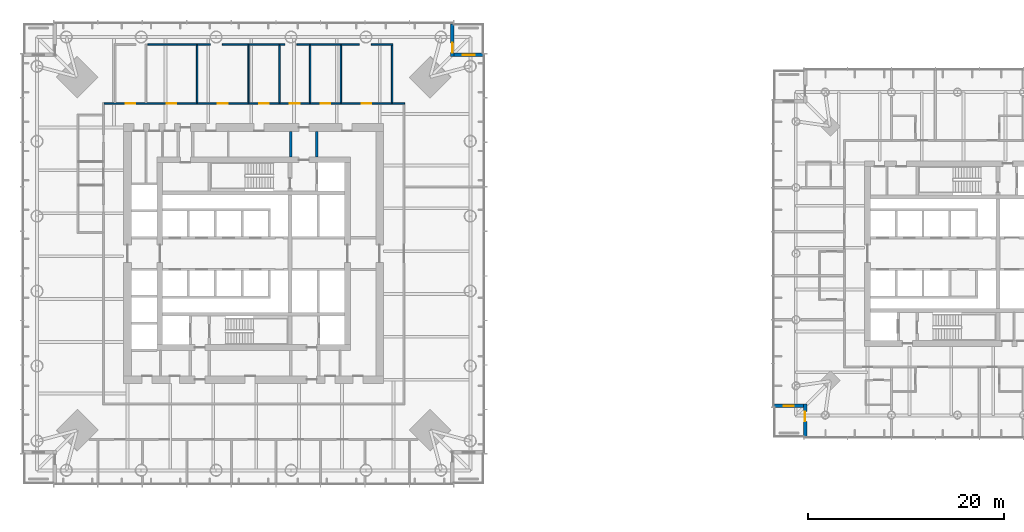
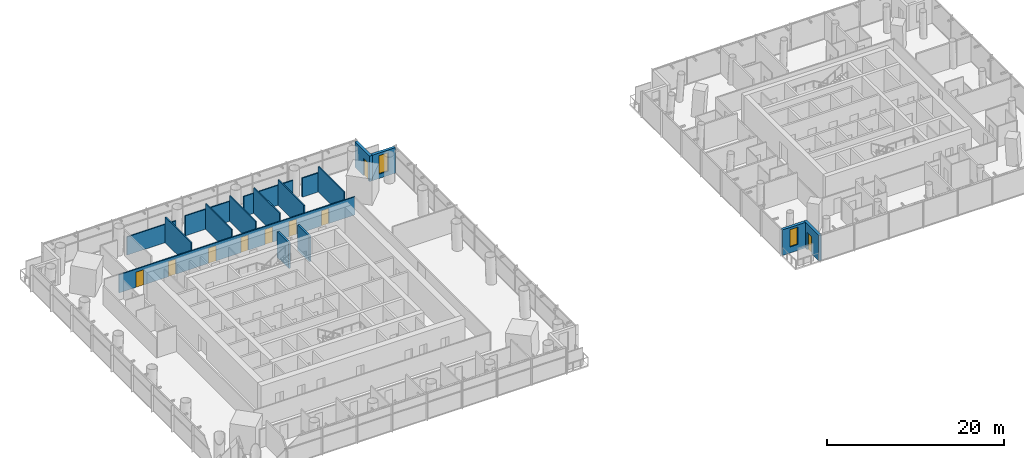
# One storey, part 15 of 24: 17 walls, 9 doors, 2 windows, 11 openings.
"""IFC4 building model written with IfcOpenShell, lengths in metres."""

from ifc_helpers import new_model, si_unit, direction, frame, frame_2d, origin, place, context, subcontext, project, spatial, rectangle, extrude, material, layer, layer_set, type_object, element, fill, save


model = new_model("IFC4")

# Units and contexts
model_context = context("Model", 3, precision=1e-05, world=origin(), true_north=direction((0.0, 1.0)))
body_context = subcontext(model_context, "Body", "Model", "MODEL_VIEW")
ifc_project = project(units=[si_unit("LENGTHUNIT", "METRE"), si_unit("AREAUNIT", "SQUARE_METRE"), si_unit("VOLUMEUNIT", "CUBIC_METRE"), si_unit("PLANEANGLEUNIT", "RADIAN"), si_unit("MASSUNIT", "GRAM", prefix="KILO")], contexts=[model_context])

# Site, building, storey
site_placement = place(None, origin())
site = spatial("IfcSite", under=ifc_project, at=site_placement, CompositionType="ELEMENT")
building_placement = place(site_placement, origin())
building = spatial("IfcBuilding", under=site, at=building_placement, Name="Ostroluk Exchange", CompositionType="ELEMENT")
storey_placement = place(building_placement, frame((0.0, 0.0, 78.0)))
storey = spatial("IfcBuildingStorey", under=building, at=storey_placement, Name="L19", CompositionType="ELEMENT", Elevation=78.0)

# Walls
ifc_material_1 = material(Name="Concrete blockwork", Category="masonry")
ifc_layer_1 = layer(ifc_material_1, 0.25)
ifc_layer_set_1 = layer_set([ifc_layer_1], Name="Blockwork stair enclosure wall 250")
wall_type_1 = type_object("IfcWallType", Name="Blockwork stair enclosure wall 250", PredefinedType="SOLIDWALL", material=ifc_layer_set_1)
for number, where, z_axis, x_axis, name in (
    (1, (48.804931640625, 55.89990234375, 0.0), (0.0, 0.0, 1.0), (0.0, 1.0, 0.0), "Fire lobby enclosure wall"),
    (2, (51.47509765625, 55.89990234375, 0.0), (0.0, 0.0, 1.0), (0.0, 1.0, 0.0), "Fire lobby enclosure wall"),
):
    element("IfcWall", number, at=place(storey_placement, frame(where, z_axis=z_axis, x_axis=x_axis)), inside=storey, type_object=wall_type_1, Name=name, PredefinedType="SOLIDWALL", context=body_context, shape_type="SweptSolid", body=[
        extrude(rectangle(XDim=2.60009765625, YDim=0.25, at=frame_2d((1.300048828125, 0.0))), origin(), (0.0, 0.0, 1.0), 3.52001953125),
    ])

# Wall, opening, door
ifc_material_2 = material(Name="Limestone", Category="masonry")
ifc_layer_2 = layer(ifc_material_2, 0.35009765625)
ifc_layer_set_2 = layer_set([ifc_layer_2], Name="Limestone facade wall 350")
wall_type_2 = type_object("IfcWallType", Name="Limestone facade wall 350", PredefinedType="SOLIDWALL", material=ifc_layer_set_2)
wall_1_placement = place(storey_placement, frame((65.324951171875, 69.5, 0.0), z_axis=(0.0, 0.0, 1.0), x_axis=(0.0, -1.0, 0.0)))
wall_1 = element("IfcWall", 3, at=wall_1_placement, inside=storey, type_object=wall_type_2, Name="Office tower NE corner wall L19 a", PredefinedType="SOLIDWALL", context=body_context, shape_type="SweptSolid", body=[
    extrude(rectangle(XDim=3.35009765625, YDim=0.35009765625, at=frame_2d((1.675048828125, 0.0))), origin(), (0.0, 0.0, 1.0), 3.52001953125),
])
opening_1_placement = place(wall_1_placement, frame((1.949951171875, 0.0, 0.0)))
opening_1 = element("IfcOpeningElement", 4, at=opening_1_placement, cuts=wall_1, Name="Opening D-B1", PredefinedType="OPENING", context=body_context, shape_type="SweptSolid", body=[
    extrude(rectangle(XDim=1.0, YDim=2.39990234375, at=frame_2d((0.5, 1.199951171875))), frame((0.0, 0.18505859375, 0.0), z_axis=(0.0, -1.0, 0.0), x_axis=(1.0, 0.0, 0.0)), (0.0, 0.0, 1.0), 0.3701171875),
])
ifc_material_3 = material(Name="Bronze framed glazed door", Category="aluminium")
door_type_1 = type_object("IfcDoorType", Name="Balcony door 1000 x 2400", OperationType="SINGLE_SWING_LEFT", PredefinedType="DOOR", material=ifc_material_3)
door_1_placement = place(opening_1_placement, origin())
door_1 = element("IfcDoor", 5, at=door_1_placement, inside=storey, type_object=door_type_1, Name="Office tower NE balcony door L19", OperationType="SINGLE_SWING_RIGHT", OverallHeight=2.39990234375, OverallWidth=1.0, PredefinedType="DOOR", context=body_context, shape_type="SweptSolid", body=[
    extrude(rectangle(XDim=1.0, YDim=2.39990234375, at=frame_2d((0.5, 1.199951171875))), frame((0.0, 0.02490234375, 0.0), z_axis=(0.0, -1.0, 0.0), x_axis=(1.0, 0.0, 0.0)), (0.0, 0.0, 1.0), 0.050048828125),
])
fill(opening_1, door_1)

# Wall, opening, window
wall_2_placement = place(storey_placement, frame((65.5, 66.324951171875, 0.0), z_axis=(0.0, 0.0, 1.0), x_axis=(1.0, 0.0, 0.0)))
wall_2 = element("IfcWall", 6, at=wall_2_placement, inside=storey, type_object=wall_type_2, Name="Office tower NE corner wall L19 b", PredefinedType="SOLIDWALL", context=body_context, shape_type="SweptSolid", body=[
    extrude(rectangle(XDim=3.0, YDim=0.35009765625, at=frame_2d((1.5, 0.0))), origin(), (0.0, 0.0, 1.0), 3.52001953125),
])
opening_2_placement = place(wall_2_placement, frame((0.89990234375, 0.0, 0.60009765625)))
opening_2 = element("IfcOpeningElement", 7, at=opening_2_placement, cuts=wall_2, Name="Opening WN-L1", PredefinedType="OPENING", context=body_context, shape_type="SweptSolid", body=[
    extrude(rectangle(XDim=1.199951171875, YDim=2.550048828125, at=frame_2d((0.60009765625, 1.27490234375))), frame((0.0, 0.18505859375, 0.0), z_axis=(0.0, -1.0, 0.0), x_axis=(1.0, 0.0, 0.0)), (0.0, 0.0, 1.0), 0.3701171875),
])
ifc_material_4 = material(Name="Laminated clear glass", Category="glass")
window_type_1 = type_object("IfcWindowType", Name="Lancet window 1200 x 2550", PartitioningType="SINGLE_PANEL", PredefinedType="WINDOW", material=ifc_material_4)
window_1_placement = place(opening_2_placement, origin())
window_1 = element("IfcWindow", 8, at=window_1_placement, inside=storey, type_object=window_type_1, Name="Office tower NE lancet window L19", OverallHeight=2.550048828125, OverallWidth=1.199951171875, PartitioningType="SINGLE_PANEL", PredefinedType="WINDOW", context=body_context, shape_type="SweptSolid", body=[
    extrude(rectangle(XDim=1.199951171875, YDim=2.550048828125, at=frame_2d((0.60009765625, 1.27490234375))), frame((0.0, 0.030029296875, 0.0), z_axis=(0.0, -1.0, 0.0), x_axis=(1.0, 0.0, 0.0)), (0.0, 0.0, 1.0), 0.06005859375),
])
fill(opening_2, window_1)

# Wall, opening, door
wall_3_placement = place(storey_placement, frame((101.425048828125, 27.25, 0.0), z_axis=(0.0, 0.0, 1.0), x_axis=(0.0, 1.0, 0.0)))
wall_3 = element("IfcWall", 9, at=wall_3_placement, inside=storey, type_object=wall_type_2, Name="Hotel tower SW corner wall L19 a", PredefinedType="SOLIDWALL", context=body_context, shape_type="SweptSolid", body=[
    extrude(rectangle(XDim=3.35009765625, YDim=0.35009765625, at=frame_2d((1.675048828125, 0.0))), origin(), (0.0, 0.0, 1.0), 3.52001953125),
])
opening_3_placement = place(wall_3_placement, frame((1.60009765625, 0.0, 0.0)))
opening_3 = element("IfcOpeningElement", 10, at=opening_3_placement, cuts=wall_3, Name="Opening D-B1", PredefinedType="OPENING", context=body_context, shape_type="SweptSolid", body=[
    extrude(rectangle(XDim=1.0, YDim=2.39990234375, at=frame_2d((0.5, 1.199951171875))), frame((0.0, 0.18505859375, 0.0), z_axis=(0.0, -1.0, 0.0), x_axis=(1.0, 0.0, 0.0)), (0.0, 0.0, 1.0), 0.3701171875),
])
door_2_placement = place(opening_3_placement, origin())
door_2 = element("IfcDoor", 11, at=door_2_placement, inside=storey, type_object=door_type_1, Name="Hotel tower SW balcony door L19", OperationType="SINGLE_SWING_RIGHT", OverallHeight=2.39990234375, OverallWidth=1.0, PredefinedType="DOOR", context=body_context, shape_type="SweptSolid", body=[
    extrude(rectangle(XDim=1.0, YDim=2.39990234375, at=frame_2d((0.5, 1.199951171875))), frame((0.0, 0.02490234375, 0.0), z_axis=(0.0, -1.0, 0.0), x_axis=(1.0, 0.0, 0.0)), (0.0, 0.0, 1.0), 0.050048828125),
])
fill(opening_3, door_2)

# Wall, opening, window
wall_4_placement = place(storey_placement, frame((101.25, 30.425048828125, 0.0), z_axis=(0.0, 0.0, 1.0), x_axis=(-1.0, 0.0, 0.0)))
wall_4 = element("IfcWall", 12, at=wall_4_placement, inside=storey, type_object=wall_type_2, Name="Hotel tower SW corner wall L19 b", PredefinedType="SOLIDWALL", context=body_context, shape_type="SweptSolid", body=[
    extrude(rectangle(XDim=3.0, YDim=0.35009765625, at=frame_2d((1.5, 0.0))), origin(), (0.0, 0.0, 1.0), 3.52001953125),
])
opening_4_placement = place(wall_4_placement, frame((1.0, 0.0, 0.820068359375)))
opening_4 = element("IfcOpeningElement", 13, at=opening_4_placement, cuts=wall_4, Name="Opening WN-L3", PredefinedType="OPENING", context=body_context, shape_type="SweptSolid", body=[
    extrude(rectangle(XDim=1.0, YDim=2.39990234375, at=frame_2d((0.5, 1.199951171875))), frame((0.0, 0.18505859375, 0.0), z_axis=(0.0, -1.0, 0.0), x_axis=(1.0, 0.0, 0.0)), (0.0, 0.0, 1.0), 0.3701171875),
])
ifc_material_5 = material(Name="Laminated clear glass", Category="glass")
window_type_2 = type_object("IfcWindowType", Name="Hotel lancet window 1000 x 2400", PartitioningType="SINGLE_PANEL", PredefinedType="WINDOW", material=ifc_material_5)
window_2_placement = place(opening_4_placement, origin())
window_2 = element("IfcWindow", 14, at=window_2_placement, inside=storey, type_object=window_type_2, Name="Hotel tower SW lancet window L19", OverallHeight=2.39990234375, OverallWidth=1.0, PartitioningType="SINGLE_PANEL", PredefinedType="WINDOW", context=body_context, shape_type="SweptSolid", body=[
    extrude(rectangle(XDim=1.0, YDim=2.39990234375, at=frame_2d((0.5, 1.199951171875))), frame((0.0, 0.030029296875, 0.0), z_axis=(0.0, -1.0, 0.0), x_axis=(1.0, 0.0, 0.0)), (0.0, 0.0, 1.0), 0.06005859375),
])
fill(opening_4, window_2)

# Walls
ifc_material_6 = material(Name="Gypsum plasterboard partition", Category="gypsum")
ifc_layer_3 = layer(ifc_material_6, 0.14990234375)
ifc_layer_set_3 = layer_set([ifc_layer_3], Name="Plasterboard partition 150")
wall_type_3 = type_object("IfcWallType", Name="Plasterboard partition 150", PredefinedType="PARTITIONING", material=ifc_layer_set_3)
for number, where, z_axis, x_axis, name in (
    (15, (59.175048828125, 61.449951171875, 0.0), (0.0, 0.0, 1.0), (0.0, 1.0, 0.0), "Partition"),
    (16, (53.925048828125, 61.449951171875, 0.0), (0.0, 0.0, 1.0), (0.0, 1.0, 0.0), "Partition"),
    (17, (50.77490234375, 61.449951171875, 0.0), (0.0, 0.0, 1.0), (0.0, 1.0, 0.0), "Partition"),
    (18, (47.625, 61.449951171875, 0.0), (0.0, 0.0, 1.0), (0.0, 1.0, 0.0), "Partition"),
    (19, (44.47509765625, 61.449951171875, 0.0), (0.0, 0.0, 1.0), (0.0, 1.0, 0.0), "Partition"),
    (20, (39.22509765625, 61.449951171875, 0.0), (0.0, 0.0, 1.0), (0.0, 1.0, 0.0), "Partition"),
):
    element("IfcWall", number, at=place(storey_placement, frame(where, z_axis=z_axis, x_axis=x_axis)), inside=storey, type_object=wall_type_3, Name=name, PredefinedType="PARTITIONING", context=body_context, shape_type="SweptSolid", body=[
        extrude(rectangle(XDim=5.85009765625, YDim=0.14990234375, at=frame_2d((2.925048828125, 0.0))), origin(), (0.0, 0.0, 1.0), 3.52001953125),
    ])
wall_5_placement = place(storey_placement, frame((59.25, 67.375, 0.0), z_axis=(0.0, 0.0, 1.0), x_axis=(-1.0, 0.0, 0.0)))
element("IfcWall", 21, at=wall_5_placement, inside=storey, type_object=wall_type_3, Name="Partition", PredefinedType="PARTITIONING", context=body_context, shape_type="SweptSolid", body=[
    extrude(rectangle(XDim=2.204833984375, YDim=0.14990234375, at=frame_2d((1.1025390625, 0.0))), origin(), (0.0, 0.0, 1.0), 2.6201171875),
])
wall_6_placement = place(storey_placement, frame((55.82470703125, 67.375, 0.0), z_axis=(0.0, 0.0, 1.0), x_axis=(-1.0, 0.0, 0.0)))
element("IfcWall", 22, at=wall_6_placement, inside=storey, type_object=wall_type_3, Name="Partition", PredefinedType="PARTITIONING", context=body_context, shape_type="SweptSolid", body=[
    extrude(rectangle(XDim=6.4033203125, YDim=0.14990234375, at=frame_2d((3.20166015625, 0.0))), origin(), (0.0, 0.0, 1.0), 2.75),
])
wall_7_placement = place(storey_placement, frame((48.201904296875, 67.375, 0.0), z_axis=(0.0, 0.0, 1.0), x_axis=(-1.0, 0.0, 0.0)))
element("IfcWall", 23, at=wall_7_placement, inside=storey, type_object=wall_type_3, Name="Partition", PredefinedType="PARTITIONING", context=body_context, shape_type="SweptSolid", body=[
    extrude(rectangle(XDim=6.40380859375, YDim=0.14990234375, at=frame_2d((3.201904296875, 0.0))), origin(), (0.0, 0.0, 1.0), 2.75),
])
wall_8_placement = place(storey_placement, frame((40.57861328125, 67.375, 0.0), z_axis=(0.0, 0.0, 1.0), x_axis=(-1.0, 0.0, 0.0)))
element("IfcWall", 24, at=wall_8_placement, inside=storey, type_object=wall_type_3, Name="Partition", PredefinedType="PARTITIONING", context=body_context, shape_type="SweptSolid", body=[
    extrude(rectangle(XDim=6.4033203125, YDim=0.14990234375, at=frame_2d((3.20166015625, 0.0))), origin(), (0.0, 0.0, 1.0), 2.511962890625),
])

# Wall, openings, doors
wall_9_placement = place(storey_placement, frame((60.449951171875, 61.375, 0.0), z_axis=(0.0, 0.0, 1.0), x_axis=(-1.0, 0.0, 0.0)))
wall_9 = element("IfcWall", 25, at=wall_9_placement, inside=storey, type_object=wall_type_3, Name="Corridor wall", PredefinedType="PARTITIONING", context=body_context, shape_type="SweptSolid", body=[
    extrude(rectangle(XDim=30.75, YDim=0.14990234375, at=frame_2d((15.375, 0.0))), origin(), (0.0, 0.0, 1.0), 2.511962890625),
])
opening_5_placement = place(wall_9_placement, frame((3.39990234375, 0.0, 0.0)))
opening_5 = element("IfcOpeningElement", 26, at=opening_5_placement, cuts=wall_9, Name="Opening D-03", PredefinedType="OPENING", context=body_context, shape_type="SweptSolid", body=[
    extrude(rectangle(XDim=1.0, YDim=2.10009765625, at=frame_2d((0.5, 1.050048828125))), frame((0.0, 0.0849609375, 0.0), z_axis=(0.0, -1.0, 0.0), x_axis=(1.0, 0.0, 0.0)), (0.0, 0.0, 1.0), 0.169921875),
])
opening_6_placement = place(wall_9_placement, frame((7.60009765625, 0.0, 0.0)))
opening_6 = element("IfcOpeningElement", 27, at=opening_6_placement, cuts=wall_9, Name="Opening D-03", PredefinedType="OPENING", context=body_context, shape_type="SweptSolid", body=[
    extrude(rectangle(XDim=1.0, YDim=2.10009765625, at=frame_2d((0.5, 1.050048828125))), frame((0.0, 0.0849609375, 0.0), z_axis=(0.0, -1.0, 0.0), x_axis=(1.0, 0.0, 0.0)), (0.0, 0.0, 1.0), 0.169921875),
])
opening_7_placement = place(wall_9_placement, frame((10.75, 0.0, 0.0)))
opening_7 = element("IfcOpeningElement", 28, at=opening_7_placement, cuts=wall_9, Name="Opening D-03", PredefinedType="OPENING", context=body_context, shape_type="SweptSolid", body=[
    extrude(rectangle(XDim=1.0, YDim=2.10009765625, at=frame_2d((0.5, 1.050048828125))), frame((0.0, 0.0849609375, 0.0), z_axis=(0.0, -1.0, 0.0), x_axis=(1.0, 0.0, 0.0)), (0.0, 0.0, 1.0), 0.169921875),
])
opening_8_placement = place(wall_9_placement, frame((13.89990234375, 0.0, 0.0)))
opening_8 = element("IfcOpeningElement", 29, at=opening_8_placement, cuts=wall_9, Name="Opening D-03", PredefinedType="OPENING", context=body_context, shape_type="SweptSolid", body=[
    extrude(rectangle(XDim=1.0, YDim=2.10009765625, at=frame_2d((0.5, 1.050048828125))), frame((0.0, 0.0849609375, 0.0), z_axis=(0.0, -1.0, 0.0), x_axis=(1.0, 0.0, 0.0)), (0.0, 0.0, 1.0), 0.169921875),
])
opening_9_placement = place(wall_9_placement, frame((18.10009765625, 0.0, 0.0)))
opening_9 = element("IfcOpeningElement", 30, at=opening_9_placement, cuts=wall_9, Name="Opening D-03", PredefinedType="OPENING", context=body_context, shape_type="SweptSolid", body=[
    extrude(rectangle(XDim=1.0, YDim=2.10009765625, at=frame_2d((0.5, 1.050048828125))), frame((0.0, 0.0849609375, 0.0), z_axis=(0.0, -1.0, 0.0), x_axis=(1.0, 0.0, 0.0)), (0.0, 0.0, 1.0), 0.169921875),
])
opening_10_placement = place(wall_9_placement, frame((23.35009765625, 0.0, 0.0)))
opening_10 = element("IfcOpeningElement", 31, at=opening_10_placement, cuts=wall_9, Name="Opening D-03", PredefinedType="OPENING", context=body_context, shape_type="SweptSolid", body=[
    extrude(rectangle(XDim=1.0, YDim=2.10009765625, at=frame_2d((0.5, 1.050048828125))), frame((0.0, 0.0849609375, 0.0), z_axis=(0.0, -1.0, 0.0), x_axis=(1.0, 0.0, 0.0)), (0.0, 0.0, 1.0), 0.169921875),
])
opening_11_placement = place(wall_9_placement, frame((27.550048828125, 0.0, 0.0)))
opening_11 = element("IfcOpeningElement", 32, at=opening_11_placement, cuts=wall_9, Name="Opening D-03", PredefinedType="OPENING", context=body_context, shape_type="SweptSolid", body=[
    extrude(rectangle(XDim=1.0, YDim=2.10009765625, at=frame_2d((0.5, 1.050048828125))), frame((0.0, 0.0849609375, 0.0), z_axis=(0.0, -1.0, 0.0), x_axis=(1.0, 0.0, 0.0)), (0.0, 0.0, 1.0), 0.169921875),
])
ifc_material_7 = material(Name="Timber", Category="wood")
door_type_2 = type_object("IfcDoorType", Name="Internal door 1000 x 2100", OperationType="SINGLE_SWING_LEFT", PredefinedType="DOOR", material=ifc_material_7)
door_3_placement = place(opening_5_placement, origin())
door_3 = element("IfcDoor", 33, at=door_3_placement, inside=storey, type_object=door_type_2, Name="Meeting room door", OperationType="SINGLE_SWING_LEFT", OverallHeight=2.10009765625, OverallWidth=1.0, PredefinedType="DOOR", context=body_context, shape_type="SweptSolid", body=[
    extrude(rectangle(XDim=1.0, YDim=2.10009765625, at=frame_2d((0.5, 1.050048828125))), frame((0.0, 0.02490234375, 0.0), z_axis=(0.0, -1.0, 0.0), x_axis=(1.0, 0.0, 0.0)), (0.0, 0.0, 1.0), 0.050048828125),
])
fill(opening_5, door_3)
door_4_placement = place(opening_6_placement, origin())
door_4 = element("IfcDoor", 34, at=door_4_placement, inside=storey, type_object=door_type_2, Name="Focus room door", OperationType="SINGLE_SWING_LEFT", OverallHeight=2.10009765625, OverallWidth=1.0, PredefinedType="DOOR", context=body_context, shape_type="SweptSolid", body=[
    extrude(rectangle(XDim=1.0, YDim=2.10009765625, at=frame_2d((0.5, 1.050048828125))), frame((0.0, 0.02490234375, 0.0), z_axis=(0.0, -1.0, 0.0), x_axis=(1.0, 0.0, 0.0)), (0.0, 0.0, 1.0), 0.050048828125),
])
fill(opening_6, door_4)
door_5_placement = place(opening_7_placement, origin())
door_5 = element("IfcDoor", 35, at=door_5_placement, inside=storey, type_object=door_type_2, Name="Phone room door", OperationType="SINGLE_SWING_LEFT", OverallHeight=2.10009765625, OverallWidth=1.0, PredefinedType="DOOR", context=body_context, shape_type="SweptSolid", body=[
    extrude(rectangle(XDim=1.0, YDim=2.10009765625, at=frame_2d((0.5, 1.050048828125))), frame((0.0, 0.02490234375, 0.0), z_axis=(0.0, -1.0, 0.0), x_axis=(1.0, 0.0, 0.0)), (0.0, 0.0, 1.0), 0.050048828125),
])
fill(opening_7, door_5)
door_6_placement = place(opening_8_placement, origin())
door_6 = element("IfcDoor", 36, at=door_6_placement, inside=storey, type_object=door_type_2, Name="Focus room door", OperationType="SINGLE_SWING_LEFT", OverallHeight=2.10009765625, OverallWidth=1.0, PredefinedType="DOOR", context=body_context, shape_type="SweptSolid", body=[
    extrude(rectangle(XDim=1.0, YDim=2.10009765625, at=frame_2d((0.5, 1.050048828125))), frame((0.0, 0.02490234375, 0.0), z_axis=(0.0, -1.0, 0.0), x_axis=(1.0, 0.0, 0.0)), (0.0, 0.0, 1.0), 0.050048828125),
])
fill(opening_8, door_6)
door_7_placement = place(opening_9_placement, origin())
door_7 = element("IfcDoor", 37, at=door_7_placement, inside=storey, type_object=door_type_2, Name="Meeting room door", OperationType="SINGLE_SWING_RIGHT", OverallHeight=2.10009765625, OverallWidth=1.0, PredefinedType="DOOR", context=body_context, shape_type="SweptSolid", body=[
    extrude(rectangle(XDim=1.0, YDim=2.10009765625, at=frame_2d((0.5, 1.050048828125))), frame((0.0, 0.02490234375, 0.0), z_axis=(0.0, -1.0, 0.0), x_axis=(1.0, 0.0, 0.0)), (0.0, 0.0, 1.0), 0.050048828125),
])
fill(opening_9, door_7)
door_8_placement = place(opening_10_placement, origin())
door_8 = element("IfcDoor", 38, at=door_8_placement, inside=storey, type_object=door_type_2, Name="Pantry door", OperationType="SINGLE_SWING_RIGHT", OverallHeight=2.10009765625, OverallWidth=1.0, PredefinedType="DOOR", context=body_context, shape_type="SweptSolid", body=[
    extrude(rectangle(XDim=1.0, YDim=2.10009765625, at=frame_2d((0.5, 1.050048828125))), frame((0.0, 0.02490234375, 0.0), z_axis=(0.0, -1.0, 0.0), x_axis=(1.0, 0.0, 0.0)), (0.0, 0.0, 1.0), 0.050048828125),
])
fill(opening_10, door_8)
door_9_placement = place(opening_11_placement, origin())
door_9 = element("IfcDoor", 39, at=door_9_placement, inside=storey, type_object=door_type_2, Name="Print and store room door", OperationType="SINGLE_SWING_RIGHT", OverallHeight=2.10009765625, OverallWidth=1.0, PredefinedType="DOOR", context=body_context, shape_type="SweptSolid", body=[
    extrude(rectangle(XDim=1.0, YDim=2.10009765625, at=frame_2d((0.5, 1.050048828125))), frame((0.0, 0.02490234375, 0.0), z_axis=(0.0, -1.0, 0.0), x_axis=(1.0, 0.0, 0.0)), (0.0, 0.0, 1.0), 0.050048828125),
])
fill(opening_11, door_9)

save(model, "model.ifc")
